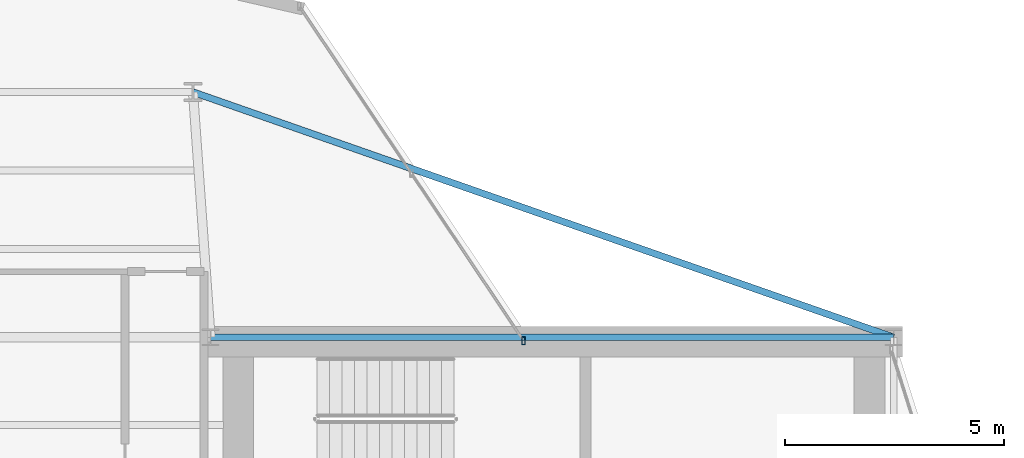
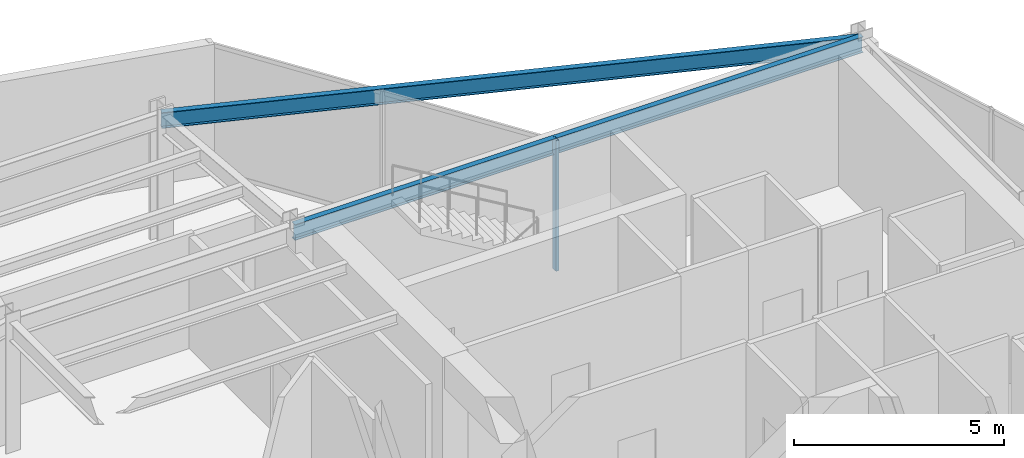
# One storey, part 16 of 22: 2 beams, 1 member, 1 element without a shape of its own.
"""IFC4 building model written with IfcOpenShell, lengths in metres."""

from ifc_helpers import new_model, si_unit, direction, frame, origin, origin_2d, place, context, subcontext, project, spatial, hollow_rectangle, i_section, extrude, material, layer, layer_set, material_profile, profile_set, type_object, element, aggregate, save


model = new_model("IFC4")

# Units and contexts
model_context = context("Model", 3, precision=1e-05, world=origin(), true_north=direction((0.0, 1.0)))
body_context = subcontext(model_context, "Body", "Model", "MODEL_VIEW")
ifc_project = project(units=[si_unit("LENGTHUNIT", "METRE"), si_unit("AREAUNIT", "SQUARE_METRE"), si_unit("VOLUMEUNIT", "CUBIC_METRE"), si_unit("PLANEANGLEUNIT", "RADIAN"), si_unit("MASSUNIT", "GRAM", prefix="KILO")], contexts=[model_context])

# Site, building, storey
site_placement = place(None, origin())
site = spatial("IfcSite", under=ifc_project, at=site_placement, CompositionType="ELEMENT")
building_placement = place(site_placement, origin())
building = spatial("IfcBuilding", under=site, at=building_placement, Name="Veymaron Broadcast Tower", CompositionType="ELEMENT")
storey_placement = place(building_placement, frame((0.0, 0.0, 204.0)))
storey = spatial("IfcBuildingStorey", under=building, at=storey_placement, Name="L47", CompositionType="ELEMENT", Elevation=204.0)

# Beams
ifc_material_1 = material(Name="Structural steel ASTM A992 Gr 50", Category="steel")
ifc_material_profile_1 = material_profile(ifc_material_1, i_section(OverallWidth=0.154052734375, OverallDepth=0.458984375, WebThickness=0.009033203125, FlangeThickness=0.015380859375, at=origin_2d()), Name="W460X68")
ifc_profile_set_1 = profile_set([ifc_material_profile_1], Name="Structural steel ASTM A992 Gr 50")
beam_type = type_object("IfcBeamType", Name="BM-SP2", PredefinedType="SPANDREL", material=ifc_profile_set_1)
beam_1_placement = place(storey_placement, frame((39.0, 32.0, 3.560546875), z_axis=(1.0, 0.0, 0.0), x_axis=(0.0, 1.0, 0.0)))
element("IfcBeam", 1, at=beam_1_placement, inside=storey, type_object=beam_type, Name="L47 primary structural floor girder", PredefinedType="SPANDREL", context=body_context, shape_type="SweptSolid", body=[
    extrude(i_section(OverallWidth=0.154052734375, OverallDepth=0.458984375, WebThickness=0.009033203125, FlangeThickness=0.015380859375, at=origin_2d()), origin(), (0.0, 0.0, 1.0), 15.60009765625),
])
beam_2_placement = place(storey_placement, frame((54.60009765625, 32.0, 3.560546875), z_axis=(-0.943856560098, 0.330355556878, 0.0), x_axis=(-0.330355556878, -0.943856560098, 0.0)))
element("IfcBeam", 2, at=beam_2_placement, inside=storey, type_object=beam_type, Name="L47 primary structural floor girder", PredefinedType="SPANDREL", context=body_context, shape_type="SweptSolid", body=[
    extrude(i_section(OverallWidth=0.154052734375, OverallDepth=0.458984375, WebThickness=0.009033203125, FlangeThickness=0.015380859375, at=origin_2d()), origin(), (0.0, 0.0, 1.0), 16.95166015625),
])

# Curtain wall, member
ifc_material_2 = material(Name="Anodised aluminium AA 6063-T6 and laminated low-E dark glass", Category="aluminium")
ifc_layer = layer(ifc_material_2, 0.179931640625)
ifc_layer_set = layer_set([ifc_layer], Name="Anodised aluminium AA 6063-T6 and laminated low-E dark glass")
curtain_wall_type = type_object("IfcCurtainWallType", Name="CW-SYS-05", PredefinedType="NOTDEFINED", material=ifc_layer_set)
curtain_wall_placement = place(storey_placement, origin())
curtain_wall = element("IfcCurtainWall", 3, at=curtain_wall_placement, inside=storey, type_object=curtain_wall_type, Name="L47 dark-glass curtain wall CW-L47-E5-1", PredefinedType="NOTDEFINED")
ifc_material_3 = material(Name="Anodised aluminium AA 6063-T6", Category="aluminium")
ifc_material_profile_2 = material_profile(ifc_material_3, hollow_rectangle(XDim=0.074951171875, YDim=0.179931640625, WallThickness=0.0048828125, at=origin_2d()), Name="AL180X75X5")
ifc_profile_set_2 = profile_set([ifc_material_profile_2], Name="Anodised aluminium AA 6063-T6")
member_type = type_object("IfcMemberType", Name="CW-MUL-02", PredefinedType="MULLION", material=ifc_profile_set_2)
member_placement = place(storey_placement, frame((46.147705078125, 31.922119140625, 0.0), z_axis=(0.0, 0.0, 1.0), x_axis=(1.0, 0.0, 0.0)))
member = element("IfcMember", 4, at=member_placement, type_object=member_type, Name="CW-L47-E5-1 mullion 0", PredefinedType="MULLION", context=body_context, shape_type="SweptSolid", body=[
    extrude(hollow_rectangle(XDim=0.074951171875, YDim=0.179931640625, WallThickness=0.0048828125, at=origin_2d()), origin(), (0.0, 0.0, 1.0), 3.7900390625),
])
aggregate(curtain_wall, [member])

save(model, "model.ifc")
